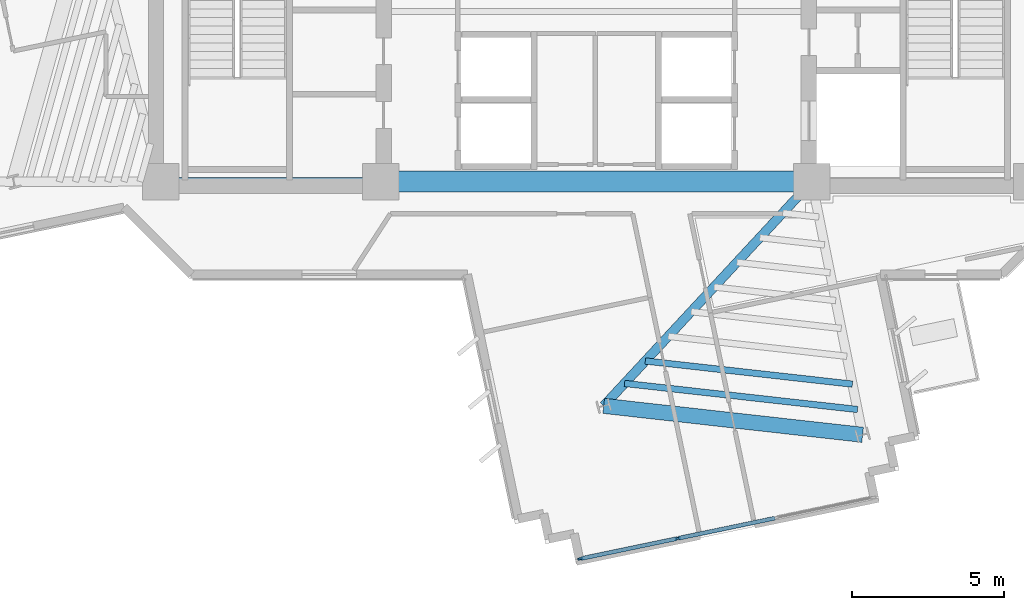
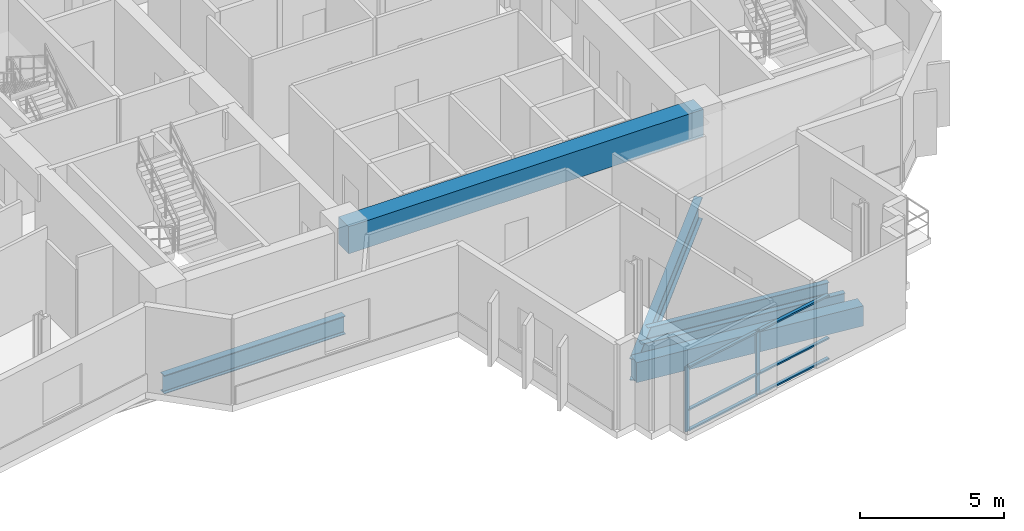
# One storey, part 2 of 14: 8 members, 6 beams, 1 element without a shape of its own.
"""IFC4 building model written with IfcOpenShell, lengths in metres."""

from ifc_helpers import new_model, si_unit, direction, frame, origin, origin_2d, place, context, subcontext, project, spatial, rectangle, i_section, extrude, source, transform, mapped, material, layer, layer_set, material_profile, profile_set, type_object, element, aggregate, save


model = new_model("IFC4")

# Units and contexts
model_context = context("Model", 3, precision=1e-05, world=origin(), true_north=direction((0.0, 1.0)))
body_context = subcontext(model_context, "Body", "Model", "MODEL_VIEW")
ifc_project = project(units=[si_unit("LENGTHUNIT", "METRE"), si_unit("AREAUNIT", "SQUARE_METRE"), si_unit("VOLUMEUNIT", "CUBIC_METRE"), si_unit("PLANEANGLEUNIT", "RADIAN"), si_unit("MASSUNIT", "GRAM", prefix="KILO")], contexts=[model_context])

# Site, building, storey
site_placement = place(None, origin())
site = spatial("IfcSite", under=ifc_project, at=site_placement, CompositionType="ELEMENT")
building_placement = place(site_placement, origin())
building = spatial("IfcBuilding", under=site, at=building_placement, Name="Zahravan Cultural Tower", CompositionType="ELEMENT")
storey_placement = place(building_placement, frame((0.0, 0.0, 159.0)))
storey = spatial("IfcBuildingStorey", under=building, at=storey_placement, Name="L36", CompositionType="ELEMENT", Elevation=159.0)

# Beams
ifc_material_1 = material(Name="Concrete C50/60", Category="concrete")
ifc_material_profile_1 = material_profile(ifc_material_1, rectangle(XDim=0.699951171875, YDim=1.14990234375, at=origin_2d()), Name="RC700X1150")
ifc_profile_set_1 = profile_set([ifc_material_profile_1], Name="Concrete C50/60")
beam_type_1 = type_object("IfcBeamType", Name="BM-LN-RC700X1150", PredefinedType="LINTEL", material=ifc_profile_set_1)
shared_shape_1 = source(origin(), body_context, "Body", "SweptSolid", [
    extrude(rectangle(XDim=0.699951171875, YDim=1.14990234375, at=origin_2d()), origin(), (0.0, 0.0, 1.0), 14.2001953125),
])
beam_1_placement = place(storey_placement, frame((28.89990234375, 17.800048828125, 3.044921875), z_axis=(1.0, 0.0, 0.0), x_axis=(0.0, 1.0, 0.0)))
element("IfcBeam", 1, at=beam_1_placement, inside=storey, type_object=beam_type_1, Name="L36 Beam LN-L36-S", PredefinedType="LINTEL", context=body_context, shape_type="MappedRepresentation", body=[
    mapped(shared_shape_1, transform((0.0, 0.0, 0.0), x_axis=(1.0, 0.0, 0.0), y_axis=(0.0, 1.0, 0.0), z_axis=(0.0, 0.0, 1.0), scale=1.0)),
])
ifc_material_2 = material(Name="Steel ASTM A992 Grade 50", Category="steel")
ifc_material_profile_2 = material_profile(ifc_material_2, i_section(OverallWidth=0.26611328125, OverallDepth=0.780029296875, WebThickness=0.0166015625, FlangeThickness=0.030029296875, FilletRadius=0.01904296875, at=origin_2d()), Name="W30X148")
ifc_profile_set_2 = profile_set([ifc_material_profile_2], Name="Steel ASTM A992 Grade 50")
beam_type_2 = type_object("IfcBeamType", Name="BM-G-W30X148", PredefinedType="BEAM", material=ifc_profile_set_2)
shared_shape_2 = source(origin(), body_context, "Body", "SweptSolid", [
    extrude(i_section(OverallWidth=0.26611328125, OverallDepth=0.780029296875, WebThickness=0.0166015625, FlangeThickness=0.030029296875, FilletRadius=0.01904296875, at=origin_2d()), origin(), (0.0, 0.0, 1.0), 7.25),
])
beam_2_placement = place(storey_placement, frame((21.64990234375, 17.800048828125, -0.669921875), z_axis=(1.0, 0.0, 0.0), x_axis=(0.0, 1.0, 0.0)))
element("IfcBeam", 2, at=beam_2_placement, inside=storey, type_object=beam_type_2, Name="L36 Beam BG-L36-01", PredefinedType="BEAM", context=body_context, shape_type="MappedRepresentation", body=[
    mapped(shared_shape_2, transform((0.0, 0.0, 0.0), x_axis=(1.0, 0.0, 0.0), y_axis=(0.0, 1.0, 0.0), z_axis=(0.0, 0.0, 1.0), scale=1.0)),
])
ifc_material_profile_3 = material_profile(ifc_material_2, i_section(OverallWidth=0.304931640625, OverallDepth=0.9189453125, WebThickness=0.017333984375, FlangeThickness=0.02783203125, FilletRadius=0.02392578125, at=origin_2d()), Name="W36X170")
ifc_profile_set_3 = profile_set([ifc_material_profile_3], Name="Steel ASTM A992 Grade 50")
beam_type_3 = type_object("IfcBeamType", Name="BM-G-W36X170", PredefinedType="BEAM", material=ifc_profile_set_3)
shared_shape_3 = source(origin(), body_context, "Body", "SweptSolid", [
    extrude(i_section(OverallWidth=0.304931640625, OverallDepth=0.9189453125, WebThickness=0.017333984375, FlangeThickness=0.02783203125, FilletRadius=0.02392578125, at=origin_2d()), origin(), (0.0, 0.0, 1.0), 10.077880859375),
])
beam_3_placement = place(storey_placement, frame((43.10009765625, 17.800048828125, -0.739501953125), z_axis=(-0.680170435587, -0.733054007938, 0.0), x_axis=(0.733054007938, -0.680170435587, 0.0)))
element("IfcBeam", 3, at=beam_3_placement, inside=storey, type_object=beam_type_3, Name="L36 Beam BG-L36-09", PredefinedType="BEAM", context=body_context, shape_type="MappedRepresentation", body=[
    mapped(shared_shape_3, transform((0.0, 0.0, 0.0), x_axis=(1.0, 0.0, 0.0), y_axis=(0.0, 1.0, 0.0), z_axis=(0.0, 0.0, 1.0), scale=1.0)),
])
ifc_material_profile_4 = material_profile(ifc_material_1, rectangle(XDim=0.5, YDim=0.85009765625, at=origin_2d()), Name="RC500X850")
ifc_profile_set_4 = profile_set([ifc_material_profile_4], Name="Concrete C50/60")
beam_type_4 = type_object("IfcBeamType", Name="BM-SP-RC500X850", PredefinedType="SPANDREL", material=ifc_profile_set_4)
shared_shape_4 = source(origin(), body_context, "Body", "SweptSolid", [
    extrude(rectangle(XDim=0.5, YDim=0.85009765625, at=origin_2d()), origin(), (0.0, 0.0, 1.0), 8.579833984375),
])
beam_4_placement = place(storey_placement, frame((36.245361328125, 10.412353515625, -0.705078125), z_axis=(0.9938040105, -0.11114669907, 0.0), x_axis=(0.11114669907, 0.9938040105, 0.0)))
element("IfcBeam", 4, at=beam_4_placement, inside=storey, type_object=beam_type_4, Name="L36 Beam SP-L36-20", PredefinedType="SPANDREL", context=body_context, shape_type="MappedRepresentation", body=[
    mapped(shared_shape_4, transform((0.0, 0.0, 0.0), x_axis=(1.0, 0.0, 0.0), y_axis=(0.0, 1.0, 0.0), z_axis=(0.0, 0.0, 1.0), scale=1.0)),
])
ifc_material_profile_5 = material_profile(ifc_material_2, i_section(OverallWidth=0.2099609375, OverallDepth=0.532958984375, WebThickness=0.01025390625, FlangeThickness=0.015625, FilletRadius=0.013916015625, at=origin_2d()), Name="W21X62")
ifc_profile_set_5 = profile_set([ifc_material_profile_5], Name="Steel ASTM A992 Grade 50")
beam_type_5 = type_object("IfcBeamType", Name="BM-J-W21X62", PredefinedType="JOIST", material=ifc_profile_set_5)
shared_shape_5 = source(origin(), body_context, "Body", "SweptSolid", [
    extrude(i_section(OverallWidth=0.2099609375, OverallDepth=0.532958984375, WebThickness=0.01025390625, FlangeThickness=0.015625, FilletRadius=0.013916015625, at=origin_2d()), origin(), (0.0, 0.0, 1.0), 6.86376953125),
])
beam_5_placement = place(storey_placement, frame((37.6162109375, 11.889892578125, -0.54638671875), z_axis=(0.993803224695, -0.111153725024, 0.0), x_axis=(0.111153725024, 0.993803224695, 0.0)))
element("IfcBeam", 5, at=beam_5_placement, inside=storey, type_object=beam_type_5, Name="L36 Beam BJ-L36-40", PredefinedType="JOIST", context=body_context, shape_type="MappedRepresentation", body=[
    mapped(shared_shape_5, transform((0.0, 0.0, 0.0), x_axis=(1.0, 0.0, 0.0), y_axis=(0.0, 1.0, 0.0), z_axis=(0.0, 0.0, 1.0), scale=1.0)),
])
shared_shape_6 = source(origin(), body_context, "Body", "SweptSolid", [
    extrude(i_section(OverallWidth=0.2099609375, OverallDepth=0.532958984375, WebThickness=0.01025390625, FlangeThickness=0.015625, FilletRadius=0.013916015625, at=origin_2d()), origin(), (0.0, 0.0, 1.0), 7.7216796875),
])
beam_6_placement = place(storey_placement, frame((36.930908203125, 11.151123046875, -0.54638671875), z_axis=(0.993805212115, -0.11113595446, 0.0), x_axis=(0.11113595446, 0.993805212115, 0.0)))
element("IfcBeam", 6, at=beam_6_placement, inside=storey, type_object=beam_type_5, Name="L36 Beam BJ-L36-41", PredefinedType="JOIST", context=body_context, shape_type="MappedRepresentation", body=[
    mapped(shared_shape_6, transform((0.0, 0.0, 0.0), x_axis=(1.0, 0.0, 0.0), y_axis=(0.0, 1.0, 0.0), z_axis=(0.0, 0.0, 1.0), scale=1.0)),
])

# Curtain wall, members
ifc_material_3 = material(Name="Anodised bronze-aluminium mullion", Category="aluminium")
ifc_layer = layer(ifc_material_3, 0.1650390625)
ifc_layer_set = layer_set([ifc_layer], Name="Anodised bronze-aluminium mullion")
curtain_wall_type = type_object("IfcCurtainWallType", Name="CW-SYS-4", PredefinedType="USERDEFINED", material=ifc_layer_set)
curtain_wall_placement = place(storey_placement, origin())
curtain_wall = element("IfcCurtainWall", 7, at=curtain_wall_placement, inside=storey, type_object=curtain_wall_type, Name="L36 Recessed Curtain Wall CW-4.1", ObjectType="RECESSED GLAZING", PredefinedType="USERDEFINED")
ifc_material_profile_6 = material_profile(ifc_material_3, rectangle(XDim=0.06494140625, YDim=0.1650390625, at=origin_2d()), Name="AL-M65X165")
ifc_profile_set_6 = profile_set([ifc_material_profile_6], Name="Anodised bronze-aluminium mullion")
member_type_1 = type_object("IfcMemberType", Name="CWM-CW-4", PredefinedType="MULLION", material=ifc_profile_set_6)
shared_shape_7 = source(origin(), body_context, "Body", "SweptSolid", [
    extrude(rectangle(XDim=0.06494140625, YDim=0.1650390625, at=origin_2d()), origin(), (0.0, 0.0, 1.0), 2.739990234375),
])
member_1_placement = place(storey_placement, frame((38.68115234375, 6.0458984375, 0.0), z_axis=(0.0, 0.0, 1.0), x_axis=(0.204162369415, -0.978937039301, 0.0)))
member_1 = element("IfcMember", 8, at=member_1_placement, type_object=member_type_1, Name="CW-4 mullion 3", PredefinedType="MULLION", context=body_context, shape_type="MappedRepresentation", body=[
    mapped(shared_shape_7, transform((0.0, 0.0, 0.0), x_axis=(1.0, 0.0, 0.0), y_axis=(0.0, 1.0, 0.0), z_axis=(0.0, 0.0, 1.0), scale=1.0)),
])
member_2_placement = place(storey_placement, frame((35.475830078125, 5.37744140625, 0.0), z_axis=(0.0, 0.0, 1.0), x_axis=(0.204162369415, -0.978937039301, 0.0)))
member_2 = element("IfcMember", 9, at=member_2_placement, type_object=member_type_1, Name="CW-4 mullion 4", PredefinedType="MULLION", context=body_context, shape_type="MappedRepresentation", body=[
    mapped(shared_shape_7, transform((0.0, 0.0, 0.0), x_axis=(1.0, 0.0, 0.0), y_axis=(0.0, 1.0, 0.0), z_axis=(0.0, 0.0, 1.0), scale=1.0)),
])
ifc_material_profile_7 = material_profile(ifc_material_3, rectangle(XDim=0.1298828125, YDim=0.06494140625, at=origin_2d()), Name="AL-T65X130")
ifc_profile_set_7 = profile_set([ifc_material_profile_7], Name="Anodised bronze-aluminium mullion")
member_type_2 = type_object("IfcMemberType", Name="CWT-CW-4", PredefinedType="USERDEFINED", material=ifc_profile_set_7)
shared_shape_8 = source(origin(), body_context, "Body", "SweptSolid", [
    extrude(rectangle(XDim=0.1298828125, YDim=0.06494140625, at=origin_2d()), origin(), (0.0, 0.0, 1.0), 3.209228515625),
])
member_3_placement = place(storey_placement, frame((38.649169921875, 6.039306640625, 0.032470703125), z_axis=(-0.978947495526, -0.204112226492, 0.0), x_axis=(0.204112226492, -0.978947495526, 0.0)))
member_3 = element("IfcMember", 10, at=member_3_placement, type_object=member_type_2, Name="CW-4 transom 3.1", ObjectType="TRANSOM", PredefinedType="USERDEFINED", context=body_context, shape_type="MappedRepresentation", body=[
    mapped(shared_shape_8, transform((0.0, 0.0, 0.0), x_axis=(1.0, 0.0, 0.0), y_axis=(0.0, 1.0, 0.0), z_axis=(0.0, 0.0, 1.0), scale=1.0)),
])
member_4_placement = place(storey_placement, frame((38.649169921875, 6.039306640625, 0.89990234375), z_axis=(-0.978947495526, -0.204112226492, 0.0), x_axis=(0.204112226492, -0.978947495526, 0.0)))
member_4 = element("IfcMember", 11, at=member_4_placement, type_object=member_type_2, Name="CW-4 transom 3.2", ObjectType="TRANSOM", PredefinedType="USERDEFINED", context=body_context, shape_type="MappedRepresentation", body=[
    mapped(shared_shape_8, transform((0.0, 0.0, 0.0), x_axis=(1.0, 0.0, 0.0), y_axis=(0.0, 1.0, 0.0), z_axis=(0.0, 0.0, 1.0), scale=1.0)),
])
member_5_placement = place(storey_placement, frame((38.649169921875, 6.039306640625, 2.70751953125), z_axis=(-0.978947495526, -0.204112226492, 0.0), x_axis=(0.204112226492, -0.978947495526, 0.0)))
member_5 = element("IfcMember", 12, at=member_5_placement, type_object=member_type_2, Name="CW-4 transom 3.3", ObjectType="TRANSOM", PredefinedType="USERDEFINED", context=body_context, shape_type="MappedRepresentation", body=[
    mapped(shared_shape_8, transform((0.0, 0.0, 0.0), x_axis=(1.0, 0.0, 0.0), y_axis=(0.0, 1.0, 0.0), z_axis=(0.0, 0.0, 1.0), scale=1.0)),
])
shared_shape_9 = source(origin(), body_context, "Body", "SweptSolid", [
    extrude(rectangle(XDim=0.1298828125, YDim=0.06494140625, at=origin_2d()), origin(), (0.0, 0.0, 1.0), 3.24169921875),
])
member_6_placement = place(storey_placement, frame((41.88623046875, 6.71435546875, 0.032470703125), z_axis=(-0.978949079002, -0.204104631797, 0.0), x_axis=(0.204104631797, -0.978949079002, 0.0)))
member_6 = element("IfcMember", 13, at=member_6_placement, type_object=member_type_2, Name="CW-4 transom 2.1", ObjectType="TRANSOM", PredefinedType="USERDEFINED", context=body_context, shape_type="MappedRepresentation", body=[
    mapped(shared_shape_9, transform((0.0, 0.0, 0.0), x_axis=(1.0, 0.0, 0.0), y_axis=(0.0, 1.0, 0.0), z_axis=(0.0, 0.0, 1.0), scale=1.0)),
])
member_7_placement = place(storey_placement, frame((41.88623046875, 6.71435546875, 0.89990234375), z_axis=(-0.978949079002, -0.204104631797, 0.0), x_axis=(0.204104631797, -0.978949079002, 0.0)))
member_7 = element("IfcMember", 14, at=member_7_placement, type_object=member_type_2, Name="CW-4 transom 2.2", ObjectType="TRANSOM", PredefinedType="USERDEFINED", context=body_context, shape_type="MappedRepresentation", body=[
    mapped(shared_shape_9, transform((0.0, 0.0, 0.0), x_axis=(1.0, 0.0, 0.0), y_axis=(0.0, 1.0, 0.0), z_axis=(0.0, 0.0, 1.0), scale=1.0)),
])
member_8_placement = place(storey_placement, frame((41.88623046875, 6.71435546875, 2.70751953125), z_axis=(-0.978949079002, -0.204104631797, 0.0), x_axis=(0.204104631797, -0.978949079002, 0.0)))
member_8 = element("IfcMember", 15, at=member_8_placement, type_object=member_type_2, Name="CW-4 transom 2.3", ObjectType="TRANSOM", PredefinedType="USERDEFINED", context=body_context, shape_type="MappedRepresentation", body=[
    mapped(shared_shape_9, transform((0.0, 0.0, 0.0), x_axis=(1.0, 0.0, 0.0), y_axis=(0.0, 1.0, 0.0), z_axis=(0.0, 0.0, 1.0), scale=1.0)),
])
aggregate(curtain_wall, [member_1, member_2, member_6, member_7, member_8, member_3, member_4, member_5])

save(model, "model.ifc")
